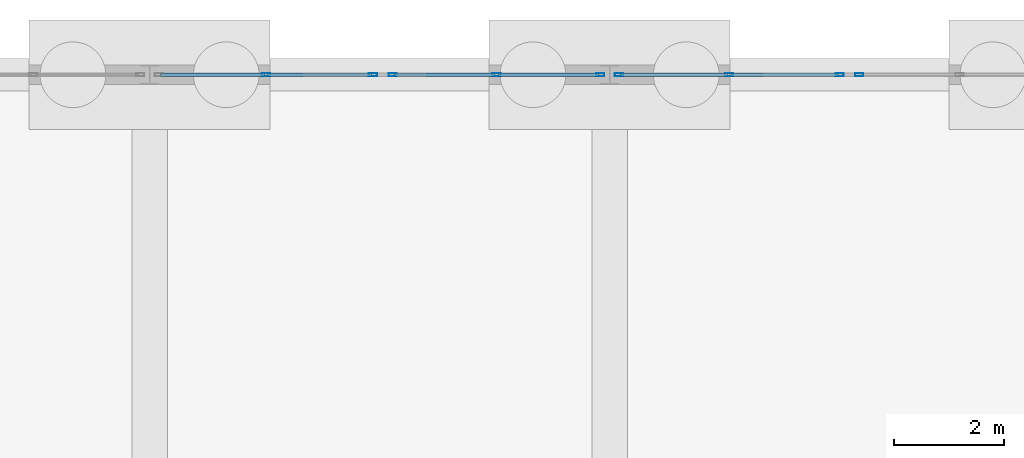
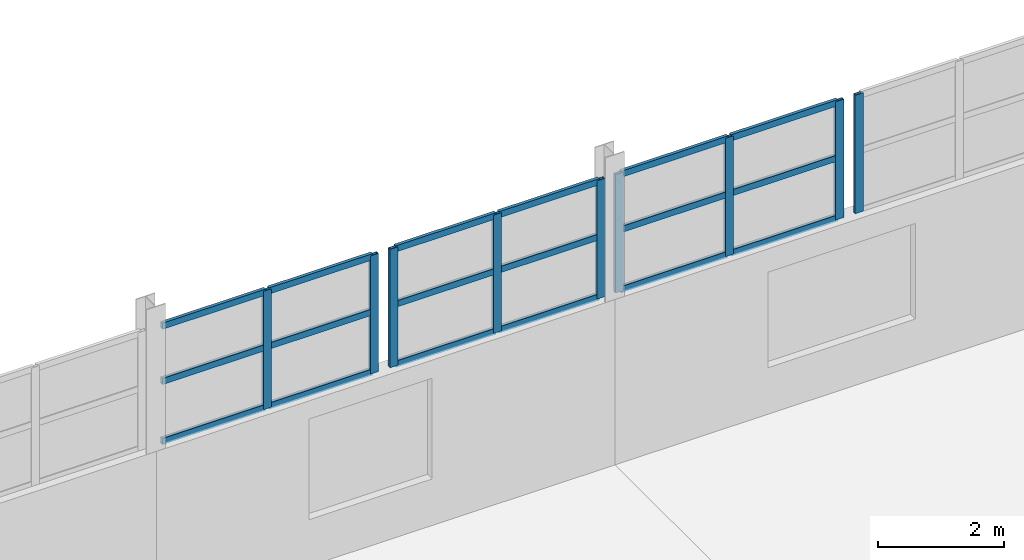
# One storey, part 96 of 139: 27 members, 4 elements without a shape of their own.
"""IFC4 building model written with IfcOpenShell, lengths in metres."""

from ifc_helpers import new_model, si_unit, direction, frame, origin, origin_2d, place, context, subcontext, project, spatial, hollow_rectangle, extrude, material, material_profile, profile_set, type_object, element, aggregate, save


model = new_model("IFC4")

# Units and contexts
model_context = context("Model", 3, precision=1e-05, world=origin(), true_north=direction((0.0, 1.0)))
body_context = subcontext(model_context, "Body", "Model", "MODEL_VIEW")
ifc_project = project(units=[si_unit("LENGTHUNIT", "METRE"), si_unit("AREAUNIT", "SQUARE_METRE"), si_unit("VOLUMEUNIT", "CUBIC_METRE"), si_unit("PLANEANGLEUNIT", "RADIAN"), si_unit("MASSUNIT", "GRAM", prefix="KILO")], contexts=[model_context])

# Site, building, storey
site_placement = place(None, origin())
site = spatial("IfcSite", under=ifc_project, at=site_placement, CompositionType="ELEMENT")
building_placement = place(site_placement, origin())
building = spatial("IfcBuilding", under=site, at=building_placement, Name="Kazenagashi Tramway Depot", CompositionType="ELEMENT")
storey_placement = place(building_placement, origin())
storey = spatial("IfcBuildingStorey", under=building, at=storey_placement, Name="L01", CompositionType="ELEMENT", Elevation=0.0)

# Curtain wall, members
ifc_material_1 = material(Name="Anodised Aluminium and Low-E Glazing", Category="aluminium")
curtain_wall_type_1 = type_object("IfcCurtainWallType", Name="CW-19", PredefinedType="USERDEFINED", material=ifc_material_1)
curtain_wall_1_placement = place(storey_placement, origin())
curtain_wall_1 = element("IfcCurtainWall", 1, at=curtain_wall_1_placement, inside=storey, type_object=curtain_wall_type_1, Name="Industrial Glazed Screen CW-19 CW-0069", ObjectType="GLAZED SCREEN", PredefinedType="USERDEFINED")
ifc_material_2 = material(Name="Anodised Aluminium", Category="aluminium")
ifc_material_profile_1 = material_profile(ifc_material_2, hollow_rectangle(XDim=0.06, YDim=0.15, WallThickness=0.004, at=origin_2d()), Name="RHS-150x60x4")
ifc_profile_set_1 = profile_set([ifc_material_profile_1], Name="Anodised Aluminium")
member_type_1 = type_object("IfcMemberType", Name="ML-01", PredefinedType="MULLION", material=ifc_profile_set_1)
member_1_placement = place(storey_placement, frame((97.325, 130.0, 3.2), z_axis=(0.0, 0.0, 1.0), x_axis=(0.0, 1.0, 0.0)))
member_1 = element("IfcMember", 2, at=member_1_placement, type_object=member_type_1, Name="CW-19 mullion 2", PredefinedType="MULLION", context=body_context, shape_type="SweptSolid", body=[
    extrude(hollow_rectangle(XDim=0.06, YDim=0.15, WallThickness=0.004, at=origin_2d()), origin(), (0.0, 0.0, 1.0), 2.292),
])
member_2_placement = place(storey_placement, frame((99.28, 130.0, 3.2), z_axis=(0.0, 0.0, 1.0), x_axis=(0.0, 1.0, 0.0)))
member_2 = element("IfcMember", 3, at=member_2_placement, type_object=member_type_1, Name="CW-19 mullion 3", PredefinedType="MULLION", context=body_context, shape_type="SweptSolid", body=[
    extrude(hollow_rectangle(XDim=0.06, YDim=0.15, WallThickness=0.004, at=origin_2d()), origin(), (0.0, 0.0, 1.0), 2.292),
])

curtain_wall_type_2 = type_object("IfcCurtainWallType", Name="CW-18", PredefinedType="USERDEFINED", material=ifc_material_1)
curtain_wall_2_placement = place(storey_placement, origin())
curtain_wall_2 = element("IfcCurtainWall", 4, at=curtain_wall_2_placement, inside=storey, type_object=curtain_wall_type_2, Name="Industrial Glazed Screen CW-18 CW-0070", ObjectType="GLAZED SCREEN", PredefinedType="USERDEFINED")
member_3_placement = place(storey_placement, frame((99.64, 130.0, 3.2), z_axis=(0.0, 0.0, 1.0), x_axis=(0.0, 1.0, 0.0)))
member_3 = element("IfcMember", 5, at=member_3_placement, type_object=member_type_1, Name="CW-18 mullion 1", PredefinedType="MULLION", context=body_context, shape_type="SweptSolid", body=[
    extrude(hollow_rectangle(XDim=0.06, YDim=0.15, WallThickness=0.004, at=origin_2d()), origin(), (0.0, 0.0, 1.0), 2.292),
])
member_4_placement = place(storey_placement, frame((101.535, 130.0, 3.2), z_axis=(0.0, 0.0, 1.0), x_axis=(0.0, 1.0, 0.0)))
member_4 = element("IfcMember", 6, at=member_4_placement, type_object=member_type_1, Name="CW-18 mullion 2", PredefinedType="MULLION", context=body_context, shape_type="SweptSolid", body=[
    extrude(hollow_rectangle(XDim=0.06, YDim=0.15, WallThickness=0.004, at=origin_2d()), origin(), (0.0, 0.0, 1.0), 2.292),
])
member_5_placement = place(storey_placement, frame((103.43, 130.0, 3.2), z_axis=(0.0, 0.0, 1.0), x_axis=(0.0, 1.0, 0.0)))
member_5 = element("IfcMember", 7, at=member_5_placement, type_object=member_type_1, Name="CW-18 mullion 3", PredefinedType="MULLION", context=body_context, shape_type="SweptSolid", body=[
    extrude(hollow_rectangle(XDim=0.06, YDim=0.15, WallThickness=0.004, at=origin_2d()), origin(), (0.0, 0.0, 1.0), 2.292),
])

curtain_wall_type_3 = type_object("IfcCurtainWallType", Name="CW-16", PredefinedType="USERDEFINED", material=ifc_material_1)
curtain_wall_3_placement = place(storey_placement, origin())
curtain_wall_3 = element("IfcCurtainWall", 8, at=curtain_wall_3_placement, inside=storey, type_object=curtain_wall_type_3, Name="Industrial Glazed Screen CW-16 CW-0072", ObjectType="GLAZED SCREEN", PredefinedType="USERDEFINED")
member_6_placement = place(storey_placement, frame((103.77, 130.0, 3.2), z_axis=(0.0, 0.0, 1.0), x_axis=(0.0, 1.0, 0.0)))
member_6 = element("IfcMember", 9, at=member_6_placement, type_object=member_type_1, Name="CW-16 mullion 1", PredefinedType="MULLION", context=body_context, shape_type="SweptSolid", body=[
    extrude(hollow_rectangle(XDim=0.06, YDim=0.15, WallThickness=0.004, at=origin_2d()), origin(), (0.0, 0.0, 1.0), 2.292),
])
member_7_placement = place(storey_placement, frame((105.785, 130.0, 3.2), z_axis=(0.0, 0.0, 1.0), x_axis=(0.0, 1.0, 0.0)))
member_7 = element("IfcMember", 10, at=member_7_placement, type_object=member_type_1, Name="CW-16 mullion 2", PredefinedType="MULLION", context=body_context, shape_type="SweptSolid", body=[
    extrude(hollow_rectangle(XDim=0.06, YDim=0.15, WallThickness=0.004, at=origin_2d()), origin(), (0.0, 0.0, 1.0), 2.292),
])
member_8_placement = place(storey_placement, frame((107.8, 130.0, 3.2), z_axis=(0.0, 0.0, 1.0), x_axis=(0.0, 1.0, 0.0)))
member_8 = element("IfcMember", 11, at=member_8_placement, type_object=member_type_1, Name="CW-16 mullion 3", PredefinedType="MULLION", context=body_context, shape_type="SweptSolid", body=[
    extrude(hollow_rectangle(XDim=0.06, YDim=0.15, WallThickness=0.004, at=origin_2d()), origin(), (0.0, 0.0, 1.0), 2.292),
])

# Curtain wall, member
curtain_wall_type_4 = type_object("IfcCurtainWallType", Name="CW-17", PredefinedType="USERDEFINED", material=ifc_material_1)
curtain_wall_4_placement = place(storey_placement, origin())
curtain_wall_4 = element("IfcCurtainWall", 12, at=curtain_wall_4_placement, inside=storey, type_object=curtain_wall_type_4, Name="Industrial Glazed Screen CW-17 CW-0073", ObjectType="GLAZED SCREEN", PredefinedType="USERDEFINED")
member_9_placement = place(storey_placement, frame((108.16, 130.0, 3.2), z_axis=(0.0, 0.0, 1.0), x_axis=(0.0, 1.0, 0.0)))
member_9 = element("IfcMember", 13, at=member_9_placement, type_object=member_type_1, Name="CW-17 mullion 1", PredefinedType="MULLION", context=body_context, shape_type="SweptSolid", body=[
    extrude(hollow_rectangle(XDim=0.06, YDim=0.15, WallThickness=0.004, at=origin_2d()), origin(), (0.0, 0.0, 1.0), 2.292),
])
aggregate(curtain_wall_4, [member_9])

# Member
ifc_material_profile_2 = material_profile(ifc_material_2, hollow_rectangle(XDim=0.06, YDim=0.12, WallThickness=0.004, at=origin_2d()), Name="RHS-120x60x4")
ifc_profile_set_2 = profile_set([ifc_material_profile_2], Name="Anodised Aluminium")
member_type_2 = type_object("IfcMemberType", Name="TR-01", PredefinedType="USERDEFINED", material=ifc_profile_set_2)
member_10_placement = place(storey_placement, frame((95.4, 130.0, 3.23), z_axis=(1.0, 0.0, 0.0), x_axis=(0.0, 1.0, 0.0)))
member_10 = element("IfcMember", 14, at=member_10_placement, type_object=member_type_2, Name="CW-19 transom 1.1", ObjectType="TRANSOM", PredefinedType="USERDEFINED", context=body_context, shape_type="SweptSolid", body=[
    extrude(hollow_rectangle(XDim=0.06, YDim=0.12, WallThickness=0.004, at=origin_2d()), origin(), (0.0, 0.0, 1.0), 1.895),
])

member_11_placement = place(storey_placement, frame((95.4, 130.0, 4.392), z_axis=(1.0, 0.0, 0.0), x_axis=(0.0, 1.0, 0.0)))
member_11 = element("IfcMember", 15, at=member_11_placement, type_object=member_type_2, Name="CW-19 transom 1.2", ObjectType="TRANSOM", PredefinedType="USERDEFINED", context=body_context, shape_type="SweptSolid", body=[
    extrude(hollow_rectangle(XDim=0.06, YDim=0.12, WallThickness=0.004, at=origin_2d()), origin(), (0.0, 0.0, 1.0), 1.895),
])

member_12_placement = place(storey_placement, frame((95.4, 130.0, 5.462), z_axis=(1.0, 0.0, 0.0), x_axis=(0.0, 1.0, 0.0)))
member_12 = element("IfcMember", 16, at=member_12_placement, type_object=member_type_2, Name="CW-19 transom 1.3", ObjectType="TRANSOM", PredefinedType="USERDEFINED", context=body_context, shape_type="SweptSolid", body=[
    extrude(hollow_rectangle(XDim=0.06, YDim=0.12, WallThickness=0.004, at=origin_2d()), origin(), (0.0, 0.0, 1.0), 1.895),
])

member_13_placement = place(storey_placement, frame((97.355, 130.0, 3.23), z_axis=(1.0, 0.0, 0.0), x_axis=(0.0, 1.0, 0.0)))
member_13 = element("IfcMember", 17, at=member_13_placement, type_object=member_type_2, Name="CW-19 transom 2.1", ObjectType="TRANSOM", PredefinedType="USERDEFINED", context=body_context, shape_type="SweptSolid", body=[
    extrude(hollow_rectangle(XDim=0.06, YDim=0.12, WallThickness=0.004, at=origin_2d()), origin(), (0.0, 0.0, 1.0), 1.895),
])

member_14_placement = place(storey_placement, frame((97.355, 130.0, 4.392), z_axis=(1.0, 0.0, 0.0), x_axis=(0.0, 1.0, 0.0)))
member_14 = element("IfcMember", 18, at=member_14_placement, type_object=member_type_2, Name="CW-19 transom 2.2", ObjectType="TRANSOM", PredefinedType="USERDEFINED", context=body_context, shape_type="SweptSolid", body=[
    extrude(hollow_rectangle(XDim=0.06, YDim=0.12, WallThickness=0.004, at=origin_2d()), origin(), (0.0, 0.0, 1.0), 1.895),
])

member_15_placement = place(storey_placement, frame((97.355, 130.0, 5.462), z_axis=(1.0, 0.0, 0.0), x_axis=(0.0, 1.0, 0.0)))
member_15 = element("IfcMember", 19, at=member_15_placement, type_object=member_type_2, Name="CW-19 transom 2.3", ObjectType="TRANSOM", PredefinedType="USERDEFINED", context=body_context, shape_type="SweptSolid", body=[
    extrude(hollow_rectangle(XDim=0.06, YDim=0.12, WallThickness=0.004, at=origin_2d()), origin(), (0.0, 0.0, 1.0), 1.895),
])

aggregate(curtain_wall_1, [member_1, member_2, member_10, member_11, member_12, member_13, member_14, member_15])

member_16_placement = place(storey_placement, frame((99.67, 130.0, 3.23), z_axis=(1.0, 0.0, 0.0), x_axis=(0.0, 1.0, 0.0)))
member_16 = element("IfcMember", 20, at=member_16_placement, type_object=member_type_2, Name="CW-18 transom 1.1", ObjectType="TRANSOM", PredefinedType="USERDEFINED", context=body_context, shape_type="SweptSolid", body=[
    extrude(hollow_rectangle(XDim=0.06, YDim=0.12, WallThickness=0.004, at=origin_2d()), origin(), (0.0, 0.0, 1.0), 1.835),
])

member_17_placement = place(storey_placement, frame((99.67, 130.0, 4.392), z_axis=(1.0, 0.0, 0.0), x_axis=(0.0, 1.0, 0.0)))
member_17 = element("IfcMember", 21, at=member_17_placement, type_object=member_type_2, Name="CW-18 transom 1.2", ObjectType="TRANSOM", PredefinedType="USERDEFINED", context=body_context, shape_type="SweptSolid", body=[
    extrude(hollow_rectangle(XDim=0.06, YDim=0.12, WallThickness=0.004, at=origin_2d()), origin(), (0.0, 0.0, 1.0), 1.835),
])

member_18_placement = place(storey_placement, frame((99.67, 130.0, 5.462), z_axis=(1.0, 0.0, 0.0), x_axis=(0.0, 1.0, 0.0)))
member_18 = element("IfcMember", 22, at=member_18_placement, type_object=member_type_2, Name="CW-18 transom 1.3", ObjectType="TRANSOM", PredefinedType="USERDEFINED", context=body_context, shape_type="SweptSolid", body=[
    extrude(hollow_rectangle(XDim=0.06, YDim=0.12, WallThickness=0.004, at=origin_2d()), origin(), (0.0, 0.0, 1.0), 1.835),
])

member_19_placement = place(storey_placement, frame((101.565, 130.0, 3.23), z_axis=(1.0, 0.0, 0.0), x_axis=(0.0, 1.0, 0.0)))
member_19 = element("IfcMember", 23, at=member_19_placement, type_object=member_type_2, Name="CW-18 transom 2.1", ObjectType="TRANSOM", PredefinedType="USERDEFINED", context=body_context, shape_type="SweptSolid", body=[
    extrude(hollow_rectangle(XDim=0.06, YDim=0.12, WallThickness=0.004, at=origin_2d()), origin(), (0.0, 0.0, 1.0), 1.835),
])

member_20_placement = place(storey_placement, frame((101.565, 130.0, 4.392), z_axis=(1.0, 0.0, 0.0), x_axis=(0.0, 1.0, 0.0)))
member_20 = element("IfcMember", 24, at=member_20_placement, type_object=member_type_2, Name="CW-18 transom 2.2", ObjectType="TRANSOM", PredefinedType="USERDEFINED", context=body_context, shape_type="SweptSolid", body=[
    extrude(hollow_rectangle(XDim=0.06, YDim=0.12, WallThickness=0.004, at=origin_2d()), origin(), (0.0, 0.0, 1.0), 1.835),
])

member_21_placement = place(storey_placement, frame((101.565, 130.0, 5.462), z_axis=(1.0, 0.0, 0.0), x_axis=(0.0, 1.0, 0.0)))
member_21 = element("IfcMember", 25, at=member_21_placement, type_object=member_type_2, Name="CW-18 transom 2.3", ObjectType="TRANSOM", PredefinedType="USERDEFINED", context=body_context, shape_type="SweptSolid", body=[
    extrude(hollow_rectangle(XDim=0.06, YDim=0.12, WallThickness=0.004, at=origin_2d()), origin(), (0.0, 0.0, 1.0), 1.835),
])

aggregate(curtain_wall_2, [member_3, member_4, member_5, member_16, member_17, member_18, member_19, member_20, member_21])

member_22_placement = place(storey_placement, frame((103.8, 130.0, 3.23), z_axis=(1.0, 0.0, 0.0), x_axis=(0.0, 1.0, 0.0)))
member_22 = element("IfcMember", 26, at=member_22_placement, type_object=member_type_2, Name="CW-16 transom 1.1", ObjectType="TRANSOM", PredefinedType="USERDEFINED", context=body_context, shape_type="SweptSolid", body=[
    extrude(hollow_rectangle(XDim=0.06, YDim=0.12, WallThickness=0.004, at=origin_2d()), origin(), (0.0, 0.0, 1.0), 1.955),
])

member_23_placement = place(storey_placement, frame((103.8, 130.0, 4.392), z_axis=(1.0, 0.0, 0.0), x_axis=(0.0, 1.0, 0.0)))
member_23 = element("IfcMember", 27, at=member_23_placement, type_object=member_type_2, Name="CW-16 transom 1.2", ObjectType="TRANSOM", PredefinedType="USERDEFINED", context=body_context, shape_type="SweptSolid", body=[
    extrude(hollow_rectangle(XDim=0.06, YDim=0.12, WallThickness=0.004, at=origin_2d()), origin(), (0.0, 0.0, 1.0), 1.955),
])

member_24_placement = place(storey_placement, frame((103.8, 130.0, 5.462), z_axis=(1.0, 0.0, 0.0), x_axis=(0.0, 1.0, 0.0)))
member_24 = element("IfcMember", 28, at=member_24_placement, type_object=member_type_2, Name="CW-16 transom 1.3", ObjectType="TRANSOM", PredefinedType="USERDEFINED", context=body_context, shape_type="SweptSolid", body=[
    extrude(hollow_rectangle(XDim=0.06, YDim=0.12, WallThickness=0.004, at=origin_2d()), origin(), (0.0, 0.0, 1.0), 1.955),
])

member_25_placement = place(storey_placement, frame((105.815, 130.0, 3.23), z_axis=(1.0, 0.0, 0.0), x_axis=(0.0, 1.0, 0.0)))
member_25 = element("IfcMember", 29, at=member_25_placement, type_object=member_type_2, Name="CW-16 transom 2.1", ObjectType="TRANSOM", PredefinedType="USERDEFINED", context=body_context, shape_type="SweptSolid", body=[
    extrude(hollow_rectangle(XDim=0.06, YDim=0.12, WallThickness=0.004, at=origin_2d()), origin(), (0.0, 0.0, 1.0), 1.955),
])

member_26_placement = place(storey_placement, frame((105.815, 130.0, 4.392), z_axis=(1.0, 0.0, 0.0), x_axis=(0.0, 1.0, 0.0)))
member_26 = element("IfcMember", 30, at=member_26_placement, type_object=member_type_2, Name="CW-16 transom 2.2", ObjectType="TRANSOM", PredefinedType="USERDEFINED", context=body_context, shape_type="SweptSolid", body=[
    extrude(hollow_rectangle(XDim=0.06, YDim=0.12, WallThickness=0.004, at=origin_2d()), origin(), (0.0, 0.0, 1.0), 1.955),
])

member_27_placement = place(storey_placement, frame((105.815, 130.0, 5.462), z_axis=(1.0, 0.0, 0.0), x_axis=(0.0, 1.0, 0.0)))
member_27 = element("IfcMember", 31, at=member_27_placement, type_object=member_type_2, Name="CW-16 transom 2.3", ObjectType="TRANSOM", PredefinedType="USERDEFINED", context=body_context, shape_type="SweptSolid", body=[
    extrude(hollow_rectangle(XDim=0.06, YDim=0.12, WallThickness=0.004, at=origin_2d()), origin(), (0.0, 0.0, 1.0), 1.955),
])

aggregate(curtain_wall_3, [member_6, member_7, member_8, member_22, member_23, member_24, member_25, member_26, member_27])

save(model, "model.ifc")
